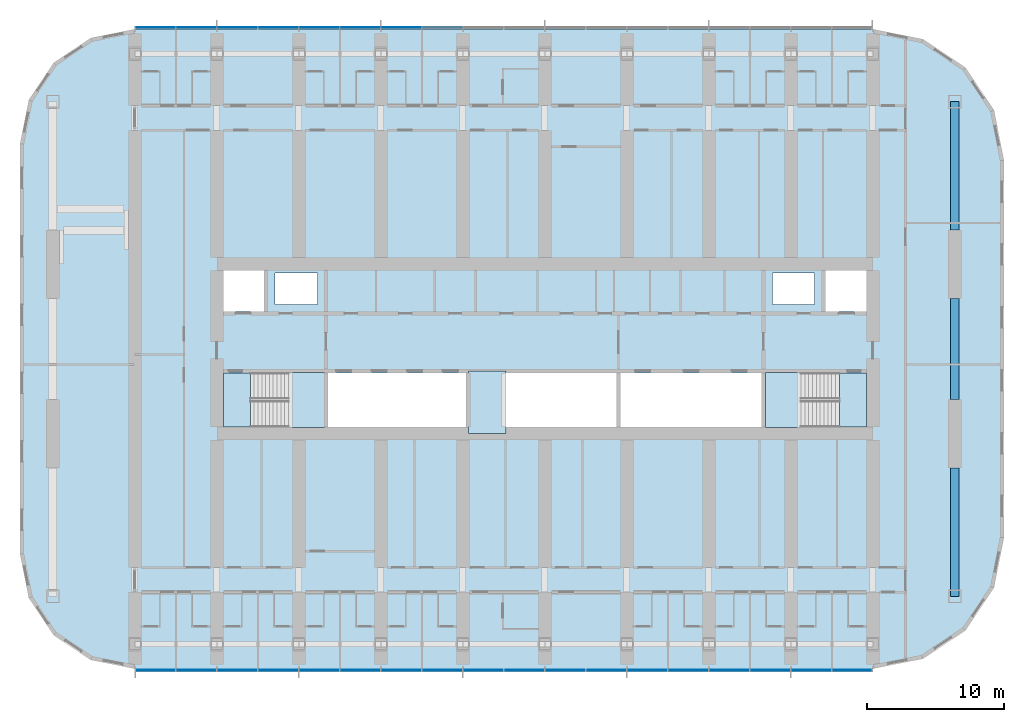
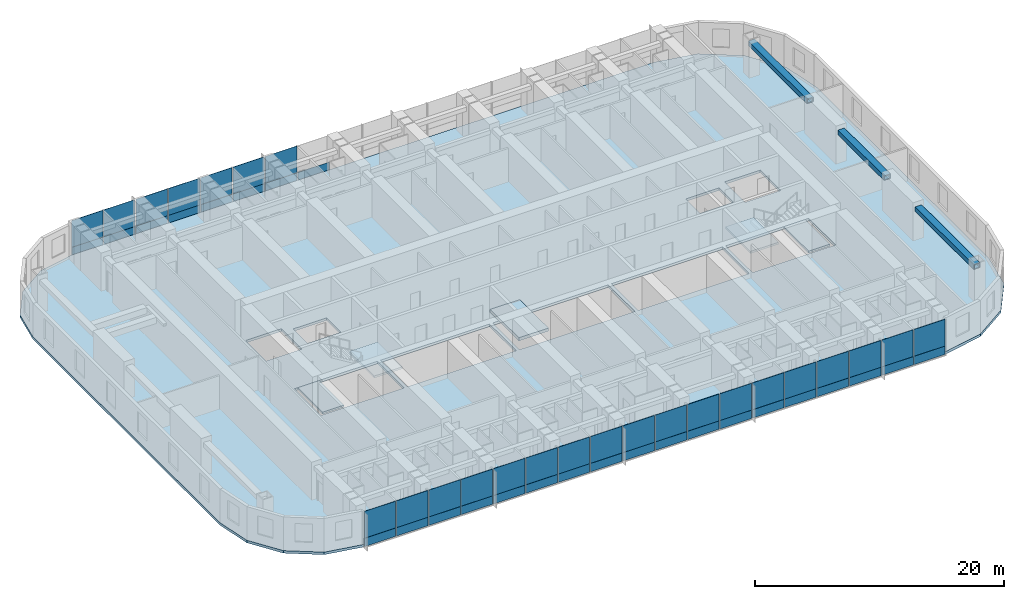
# One storey, part 6 of 22: 51 plates, 6 slabs, 3 beams, 4 elements without a shape of their own.
"""IFC4 building model written with IfcOpenShell, lengths in metres."""

import ifcopenshell
import ifcopenshell.guid

model = None  # the IFC model being written
_history = None  # IfcOwnerHistory: only IFC2X3 demands one
_inside = {}  # id of a spatial element -> (the spatial element, [elements in it])
_under = {}  # id of a project, library or spatial element -> (it, [spatial elements below it])
_declared = {}  # id of a project -> (the project, [libraries it declares])
_typed = {}  # id of a type object -> (the type object, [elements of that type])
_made_of = {}  # id of a material, layer set ... -> (it, [elements and type objects made of it])


def new_model(schema):
    """Start an empty IFC model of exactly this schema.

    Asked for "IFC4X3", IfcOpenShell would pick the latest addendum, in which some entities
    have other attributes; the version numbers below select the first issue.
    IFC2X3 requires an IfcOwnerHistory on every rooted entity: one is made here for all.
    """
    global model, _history
    if schema == "IFC4X3":
        model = ifcopenshell.file(schema_version=(4, 3, 0, 0))
    else:
        model = ifcopenshell.file(schema=schema)
    _inside.clear()
    _under.clear()
    _declared.clear()
    _typed.clear()
    _made_of.clear()
    _history = None
    if model.schema == "IFC2X3":
        org = make("IfcOrganization", Name="unknown")
        user = make(
            "IfcPersonAndOrganization",
            ThePerson=make("IfcPerson", FamilyName="unknown"),
            TheOrganization=org,
        )
        app = make(
            "IfcApplication",
            ApplicationDeveloper=org,
            Version="unknown",
            ApplicationFullName="unknown",
            ApplicationIdentifier="unknown",
        )
        _history = make(
            "IfcOwnerHistory",
            OwningUser=user,
            OwningApplication=app,
            ChangeAction="ADDED",
            CreationDate=0,
        )
    return model


def make(cls, **values):
    """One entity of the class cls with the attributes given. An attribute that is None is left unset."""
    return model.create_entity(
        cls, **{name: value for name, value in values.items() if value is not None}
    )


def rooted(cls, **values):
    """An entity with a GlobalId (a new one), such as an element, a storey or a relation."""
    return make(cls, GlobalId=ifcopenshell.guid.new(), OwnerHistory=_history, **values)


def si_unit(unit_type, name, prefix=None):
    """IfcSIUnit, for example si_unit("LENGTHUNIT", "METRE", prefix="MILLI")."""
    return make("IfcSIUnit", UnitType=unit_type, Prefix=prefix, Name=name)


def assignment(units):
    """IfcUnitAssignment: the units of a project."""
    return None if units is None else make("IfcUnitAssignment", Units=units)


def point(xyz):
    """IfcCartesianPoint."""
    return None if xyz is None else make("IfcCartesianPoint", Coordinates=xyz)


def direction(xyz):
    """IfcDirection."""
    return None if xyz is None else make("IfcDirection", DirectionRatios=xyz)


def frame(location, z_axis=None, x_axis=None):
    """IfcAxis2Placement3D, a coordinate frame: its origin and axes. An axis left out is left unset."""
    return make(
        "IfcAxis2Placement3D",
        Location=point(location),
        Axis=direction(z_axis),
        RefDirection=direction(x_axis),
    )


def frame_2d(location, x_axis=None):
    """IfcAxis2Placement2D, a coordinate frame in the plane: its origin and x axis."""
    return make(
        "IfcAxis2Placement2D", Location=point(location), RefDirection=direction(x_axis)
    )


def origin():
    """The frame at (0, 0, 0) with its axes left unset."""
    return frame((0.0, 0.0, 0.0))


def origin_2d():
    """The frame at (0, 0) in the plane with its x axis left unset."""
    return frame_2d((0.0, 0.0))


def place(relative_to, where):
    """IfcLocalPlacement: puts the frame where relative to a parent placement (None: the world)."""
    return make(
        "IfcLocalPlacement", PlacementRelTo=relative_to, RelativePlacement=where
    )


def context(
    kind, dimensions, precision=None, world=None, true_north=None, identifier=None
):
    """IfcGeometricRepresentationContext, for example the 3D "Model" context."""
    return make(
        "IfcGeometricRepresentationContext",
        ContextIdentifier=identifier,
        ContextType=kind,
        CoordinateSpaceDimension=dimensions,
        Precision=precision,
        WorldCoordinateSystem=world,
        TrueNorth=true_north,
    )


def subcontext(parent, identifier, kind, view, scale=None):
    """IfcGeometricRepresentationSubContext, for example "Body" below "Model"."""
    return make(
        "IfcGeometricRepresentationSubContext",
        ContextIdentifier=identifier,
        ContextType=kind,
        ParentContext=parent,
        TargetScale=scale,
        TargetView=view,
    )


def project(units=None, contexts=None):
    """IfcProject with its units and contexts."""
    return rooted(
        "IfcProject",
        Name="project",
        RepresentationContexts=contexts,
        UnitsInContext=assignment(units),
    )


def spatial(cls, under=None, at=None, **own):
    """A site, building, storey or space (cls), placed at a placement, below another one or the project."""
    s = rooted(cls, ObjectPlacement=at, **own)
    if under is not None:
        _under.setdefault(under.id(), (under, []))[1].append(s)
    return s


def polyline(points):
    """IfcPolyline through the points."""
    return make("IfcPolyline", Points=[point(p) for p in points])


def profile(cls, at=None, kind="AREA", **sizes):
    """A parametric profile (cls). Its sizes go by their IFC names, for example OverallWidth=200.0."""
    return make(cls, ProfileType=kind, Position=at, **sizes)


def rectangle(**sizes):
    """IfcRectangleProfileDef."""
    return profile("IfcRectangleProfileDef", **sizes)


def hollow_rectangle(**sizes):
    """IfcRectangleHollowProfileDef."""
    return profile("IfcRectangleHollowProfileDef", **sizes)


def outline(outer, holes=None, kind="AREA"):
    """IfcArbitraryClosedProfileDef: a profile drawn as a closed curve; with holes, ...WithVoids."""
    if holes is None:
        return make("IfcArbitraryClosedProfileDef", ProfileType=kind, OuterCurve=outer)
    return make(
        "IfcArbitraryProfileDefWithVoids",
        ProfileType=kind,
        OuterCurve=outer,
        InnerCurves=holes,
    )


def extrude(swept, where, along, depth):
    """IfcExtrudedAreaSolid: the profile swept, set in the frame where, extruded along a direction by depth."""
    return make(
        "IfcExtrudedAreaSolid",
        SweptArea=swept,
        Position=where,
        ExtrudedDirection=direction(along),
        Depth=depth,
    )


def shape(context_of_items, identifier, shape_type, items):
    """IfcShapeRepresentation: the items that make up one representation, for example the "Body"."""
    return make(
        "IfcShapeRepresentation",
        ContextOfItems=context_of_items,
        RepresentationIdentifier=identifier,
        RepresentationType=shape_type,
        Items=items,
    )


def material(Name=None, Category=None):
    """IfcMaterial."""
    return make("IfcMaterial", Name=Name, Category=Category)


def layer(
    of_material, thickness, ventilated=None, Name=None, Category=None, Priority=None
):
    """IfcMaterialLayer: one layer of a wall or slab, of a material (None: an air gap)."""
    return make(
        "IfcMaterialLayer",
        Material=of_material,
        LayerThickness=thickness,
        IsVentilated=ventilated,
        Name=Name,
        Category=Category,
        Priority=Priority,
    )


def layer_set(layers, Name=None):
    """IfcMaterialLayerSet."""
    return make("IfcMaterialLayerSet", MaterialLayers=layers, LayerSetName=Name)


def material_profile(
    of_material, cross_section, Name=None, Category=None, Priority=None
):
    """IfcMaterialProfile: a cross section and its material."""
    return make(
        "IfcMaterialProfile",
        Name=Name,
        Material=of_material,
        Profile=cross_section,
        Priority=Priority,
        Category=Category,
    )


def profile_set(profiles, Name=None, composite=None):
    """IfcMaterialProfileSet."""
    return make(
        "IfcMaterialProfileSet",
        Name=Name,
        MaterialProfiles=profiles,
        CompositeProfile=composite,
    )


def made_of(thing, what):
    """Note that an element or type object is made of a material, layer set ...; save() writes the relation."""
    if what is not None:
        _made_of.setdefault(what.id(), (what, []))[1].append(thing)
    return thing


def type_object(cls, material=None, **own):
    """A type object (cls), such as IfcWallType, which elements share."""
    return made_of(rooted(cls, **own), material)


def element(
    cls,
    number,
    at=None,
    inside=None,
    cuts=None,
    type_object=None,
    material=None,
    context=None,
    identifier="Body",
    shape_type=None,
    held_by="IfcProductDefinitionShape",
    body=None,
    shapes=None,
    **own,
):
    """One element of the class cls, such as IfcWall. Its Tag is "e" and its number.

    at: its placement. inside: the storey or other place that contains it. cuts: it is an
    opening in that element (IfcRelVoidsElement). A single representation is given by context,
    identifier, shape_type and body (its items); several are given by shapes. held_by: the class
    of the entity that holds the representations. save() writes the other relations.
    """
    e = rooted(cls, Tag="e%d" % number, ObjectPlacement=at, **own)
    if body is not None:
        shapes = [shape(context, identifier, shape_type, body)]
    if shapes is not None:
        e.Representation = make(held_by, Representations=shapes)
    if inside is not None:
        _inside.setdefault(inside.id(), (inside, []))[1].append(e)
    if cuts is not None:
        rooted(
            "IfcRelVoidsElement", RelatingBuildingElement=cuts, RelatedOpeningElement=e
        )
    if type_object is not None:
        _typed.setdefault(type_object.id(), (type_object, []))[1].append(e)
    return made_of(e, material)


def aggregate(whole, parts):
    """IfcRelAggregates: a whole, such as a stair, and the parts it consists of."""
    return rooted("IfcRelAggregates", RelatingObject=whole, RelatedObjects=parts)


def save(model, path):
    """Write the relations noted so far, then the file.

    IfcRelAggregates (storeys below a building ...), IfcRelContainedInSpatialStructure (elements
    in a storey), IfcRelDefinesByType, IfcRelAssociatesMaterial and IfcRelDeclares: one each for
    every whole, place, type object, material and project.
    """
    for whole, parts in _under.values():
        aggregate(whole, parts)
    for where, things in _inside.values():
        rooted(
            "IfcRelContainedInSpatialStructure",
            RelatedElements=things,
            RelatingStructure=where,
        )
    for kind, things in _typed.values():
        rooted("IfcRelDefinesByType", RelatedObjects=things, RelatingType=kind)
    for what, things in _made_of.values():
        rooted("IfcRelAssociatesMaterial", RelatedObjects=things, RelatingMaterial=what)
    for by, libraries in _declared.values():
        rooted("IfcRelDeclares", RelatingContext=by, RelatedDefinitions=libraries)
    model.write(path)


model = new_model("IFC4")

# Units and contexts
model_context = context("Model", 3, precision=1e-05, world=origin(), true_north=direction((0.0, 1.0)))
body_context = subcontext(model_context, "Body", "Model", "MODEL_VIEW")
ifc_project = project(units=[si_unit("LENGTHUNIT", "METRE"), si_unit("AREAUNIT", "SQUARE_METRE"), si_unit("VOLUMEUNIT", "CUBIC_METRE"), si_unit("PLANEANGLEUNIT", "RADIAN"), si_unit("MASSUNIT", "GRAM", prefix="KILO")], contexts=[model_context])

# Site, building, storey
site_placement = place(None, origin())
site = spatial("IfcSite", under=ifc_project, at=site_placement, CompositionType="ELEMENT")
building_placement = place(site_placement, origin())
building = spatial("IfcBuilding", under=site, at=building_placement, Name="Orbita Commons", CompositionType="ELEMENT")
storey_placement = place(building_placement, frame((0.0, 0.0, 80.64990234375)))
storey = spatial("IfcBuildingStorey", under=building, at=storey_placement, Name="L19", CompositionType="ELEMENT", Elevation=80.64990234375)

# Beams
ifc_material_1 = material(Name="Steel ASTM A572 Gr 50 welded plate", Category="steel")
ifc_material_profile = material_profile(ifc_material_1, hollow_rectangle(XDim=0.60009765625, YDim=0.449951171875, WallThickness=0.06005859375, at=origin_2d()), Name="BOX 450x600x60")
ifc_profile_set = profile_set([ifc_material_profile], Name="Steel ASTM A572 Gr 50 welded plate")
beam_type = type_object("IfcBeamType", Name="Steel end frame link BOX 450x600x60", PredefinedType="BEAM", material=ifc_profile_set)
beam_1_placement = place(storey_placement, frame((72.0, 13.89990234375, 3.0751953125), z_axis=(0.0, 1.0, 0.0), x_axis=(-1.0, 0.0, 0.0)))
element("IfcBeam", 1, at=beam_1_placement, inside=storey, type_object=beam_type, Name="End frame beam 13 B-C L19", PredefinedType="BEAM", context=body_context, shape_type="SweptSolid", body=[
    extrude(hollow_rectangle(XDim=0.60009765625, YDim=0.449951171875, WallThickness=0.06005859375, at=origin_2d()), origin(), (0.0, 0.0, 1.0), 9.400146484375),
])
beam_2_placement = place(storey_placement, frame((72.0, 28.300048828125, 3.0751953125), z_axis=(0.0, 1.0, 0.0), x_axis=(-1.0, 0.0, 0.0)))
element("IfcBeam", 2, at=beam_2_placement, inside=storey, type_object=beam_type, Name="End frame beam 13 C-D L19", PredefinedType="BEAM", context=body_context, shape_type="SweptSolid", body=[
    extrude(hollow_rectangle(XDim=0.60009765625, YDim=0.449951171875, WallThickness=0.06005859375, at=origin_2d()), origin(), (0.0, 0.0, 1.0), 7.39990234375),
])
beam_3_placement = place(storey_placement, frame((72.0, 40.699951171875, 3.0751953125), z_axis=(0.0, 1.0, 0.0), x_axis=(-1.0, 0.0, 0.0)))
element("IfcBeam", 3, at=beam_3_placement, inside=storey, type_object=beam_type, Name="End frame beam 13 D-E L19", PredefinedType="BEAM", context=body_context, shape_type="SweptSolid", body=[
    extrude(hollow_rectangle(XDim=0.60009765625, YDim=0.449951171875, WallThickness=0.06005859375, at=origin_2d()), origin(), (0.0, 0.0, 1.0), 9.400146484375),
])

# Slabs
ifc_material_2 = material(Name="Concrete C40/50", Category="concrete")
ifc_layer_1 = layer(ifc_material_2, 0.25)
ifc_layer_set_1 = layer_set([ifc_layer_1], Name="Concrete C40/50")
slab_type_1 = type_object("IfcSlabType", Name="Floor slab 250", PredefinedType="FLOOR", material=ifc_layer_set_1)
slab_1_placement = place(storey_placement, frame((0.0, 0.0, -0.25)))
element("IfcSlab", 4, at=slab_1_placement, inside=storey, type_object=slab_type_1, Name="Floor slab L19", PredefinedType="FLOOR", context=body_context, shape_type="SweptSolid", body=[
    extrude(outline(polyline([(66.0, 8.60009765625), (69.673828125, 9.330810546875), (72.788330078125, 11.411865234375), (74.869140625, 14.526123046875), (75.60009765625, 18.199951171875), (75.60009765625, 45.800048828125), (74.869140625, 49.473876953125), (72.788330078125, 52.588134765625), (69.673828125, 54.669189453125), (66.0, 55.39990234375), (12.0, 55.39990234375), (8.785400390625, 54.760498046875), (6.060302734375, 52.939697265625), (4.239501953125, 50.214599609375), (3.60009765625, 47.0), (3.60009765625, 17.0), (4.239501953125, 13.785400390625), (6.060302734375, 11.060302734375), (8.785400390625, 9.239501953125), (12.0, 8.60009765625), (66.0, 8.60009765625)]), holes=[polyline([(18.14990234375, 25.949951171875), (25.85009765625, 25.949951171875), (25.85009765625, 30.25), (18.14990234375, 30.25), (18.14990234375, 25.949951171875)]), polyline([(58.14990234375, 25.949951171875), (65.85009765625, 25.949951171875), (65.85009765625, 30.25), (58.14990234375, 30.25), (58.14990234375, 25.949951171875)]), polyline([(18.14990234375, 34.75), (21.449951171875, 34.75), (21.449951171875, 38.050048828125), (18.14990234375, 38.050048828125), (18.14990234375, 34.75)]), polyline([(62.550048828125, 34.75), (65.85009765625, 34.75), (65.85009765625, 38.050048828125), (62.550048828125, 38.050048828125), (62.550048828125, 34.75)]), polyline([(22.25, 35.25), (25.35009765625, 35.25), (25.35009765625, 37.550048828125), (22.25, 37.550048828125), (22.25, 35.25)]), polyline([(58.64990234375, 35.25), (61.75, 35.25), (61.75, 37.550048828125), (58.64990234375, 37.550048828125), (58.64990234375, 35.25)]), polyline([(26.14990234375, 25.949951171875), (36.25, 25.949951171875), (36.25, 30.25), (26.14990234375, 30.25), (26.14990234375, 25.949951171875)]), polyline([(36.550048828125, 25.949951171875), (47.25, 25.949951171875), (47.25, 30.25), (36.550048828125, 30.25), (36.550048828125, 25.949951171875)]), polyline([(47.550048828125, 25.949951171875), (57.85009765625, 25.949951171875), (57.85009765625, 30.25), (47.550048828125, 30.25), (47.550048828125, 25.949951171875)])]), origin(), (0.0, 0.0, 1.0), 0.25),
])
ifc_material_3 = material(Name="Concrete C40/50", Category="concrete")
ifc_layer_2 = layer(ifc_material_3, 0.300048828125)
ifc_layer_set_2 = layer_set([ifc_layer_2], Name="Concrete C40/50")
slab_type_2 = type_object("IfcSlabType", Name="Lift overrun roof 300", PredefinedType="ROOF", material=ifc_layer_set_2)
slab_2_placement = place(storey_placement, frame((0.0, 0.0, 1.0)))
element("IfcSlab", 5, at=slab_2_placement, inside=storey, type_object=slab_type_2, Name="Lift overrun roof bank SH1", PredefinedType="ROOF", context=body_context, shape_type="SweptSolid", body=[
    extrude(outline(polyline([(36.39990234375, 25.800048828125), (39.14990234375, 25.800048828125), (39.14990234375, 30.39990234375), (36.39990234375, 30.39990234375), (36.39990234375, 25.800048828125)])), origin(), (0.0, 0.0, 1.0), 0.300048828125),
])

# Curtain wall, plates
ifc_material_4 = material(Name="Anodised aluminium frame, pale silver", Category="aluminium")
curtain_wall_type = type_object("IfcCurtainWallType", Name="Unitised curtain wall CW-T, vision and spandrel", PredefinedType="NOTDEFINED", material=ifc_material_4)
curtain_wall_1_placement = place(storey_placement, origin())
curtain_wall_1 = element("IfcCurtainWall", 6, at=curtain_wall_1_placement, inside=storey, type_object=curtain_wall_type, Name="Curtain wall south L19", PredefinedType="NOTDEFINED")
ifc_material_5 = material(Name="Anodised aluminium sheet on mineral wool", Category="aluminium")
ifc_layer_3 = layer(ifc_material_5, 0.050048828125)
ifc_layer_set_3 = layer_set([ifc_layer_3], Name="Anodised aluminium sheet on mineral wool")
plate_type_1 = type_object("IfcPlateType", Name="Spandrel panel, pale aluminium over insulation 50", PredefinedType="CURTAIN_PANEL", material=ifc_layer_set_3)
plate_1_placement = place(storey_placement, frame((13.52001953125, 8.489990234375, -0.14990234375), z_axis=(0.0, 0.0, 1.0), x_axis=(1.0, 0.0, 0.0)))
plate_1 = element("IfcPlate", 7, at=plate_1_placement, type_object=plate_type_1, Name="Panel 1.1 CW-L19-S", PredefinedType="CURTAIN_PANEL", context=body_context, shape_type="SweptSolid", body=[
    extrude(rectangle(XDim=2.8798828125, YDim=0.050048828125, at=origin_2d()), origin(), (0.0, 0.0, 1.0), 0.822998046875),
])
plate_2_placement = place(storey_placement, frame((16.5, 8.489990234375, -0.14990234375), z_axis=(0.0, 0.0, 1.0), x_axis=(1.0, 0.0, 0.0)))
plate_2 = element("IfcPlate", 8, at=plate_2_placement, type_object=plate_type_1, Name="Panel 2.1 CW-L19-S", PredefinedType="CURTAIN_PANEL", context=body_context, shape_type="SweptSolid", body=[
    extrude(rectangle(XDim=2.919921875, YDim=0.050048828125, at=origin_2d()), origin(), (0.0, 0.0, 1.0), 0.822998046875),
])
plate_3_placement = place(storey_placement, frame((19.5, 8.489990234375, -0.14990234375), z_axis=(0.0, 0.0, 1.0), x_axis=(1.0, 0.0, 0.0)))
plate_3 = element("IfcPlate", 9, at=plate_3_placement, type_object=plate_type_1, Name="Panel 3.1 CW-L19-S", PredefinedType="CURTAIN_PANEL", context=body_context, shape_type="SweptSolid", body=[
    extrude(rectangle(XDim=2.919921875, YDim=0.050048828125, at=origin_2d()), origin(), (0.0, 0.0, 1.0), 0.822998046875),
])
plate_4_placement = place(storey_placement, frame((22.5, 8.489990234375, -0.14990234375), z_axis=(0.0, 0.0, 1.0), x_axis=(1.0, 0.0, 0.0)))
plate_4 = element("IfcPlate", 10, at=plate_4_placement, type_object=plate_type_1, Name="Panel 4.1 CW-L19-S", PredefinedType="CURTAIN_PANEL", context=body_context, shape_type="SweptSolid", body=[
    extrude(rectangle(XDim=2.919921875, YDim=0.050048828125, at=origin_2d()), origin(), (0.0, 0.0, 1.0), 0.822998046875),
])
plate_5_placement = place(storey_placement, frame((25.5, 8.489990234375, -0.14990234375), z_axis=(0.0, 0.0, 1.0), x_axis=(1.0, 0.0, 0.0)))
plate_5 = element("IfcPlate", 11, at=plate_5_placement, type_object=plate_type_1, Name="Panel 5.1 CW-L19-S", PredefinedType="CURTAIN_PANEL", context=body_context, shape_type="SweptSolid", body=[
    extrude(rectangle(XDim=2.919921875, YDim=0.050048828125, at=origin_2d()), origin(), (0.0, 0.0, 1.0), 0.822998046875),
])
plate_6_placement = place(storey_placement, frame((28.5, 8.489990234375, -0.14990234375), z_axis=(0.0, 0.0, 1.0), x_axis=(1.0, 0.0, 0.0)))
plate_6 = element("IfcPlate", 12, at=plate_6_placement, type_object=plate_type_1, Name="Panel 6.1 CW-L19-S", PredefinedType="CURTAIN_PANEL", context=body_context, shape_type="SweptSolid", body=[
    extrude(rectangle(XDim=2.919921875, YDim=0.050048828125, at=origin_2d()), origin(), (0.0, 0.0, 1.0), 0.822998046875),
])
plate_7_placement = place(storey_placement, frame((31.5, 8.489990234375, -0.14990234375), z_axis=(0.0, 0.0, 1.0), x_axis=(1.0, 0.0, 0.0)))
plate_7 = element("IfcPlate", 13, at=plate_7_placement, type_object=plate_type_1, Name="Panel 7.1 CW-L19-S", PredefinedType="CURTAIN_PANEL", context=body_context, shape_type="SweptSolid", body=[
    extrude(rectangle(XDim=2.919921875, YDim=0.050048828125, at=origin_2d()), origin(), (0.0, 0.0, 1.0), 0.822998046875),
])
plate_8_placement = place(storey_placement, frame((34.5, 8.489990234375, -0.14990234375), z_axis=(0.0, 0.0, 1.0), x_axis=(1.0, 0.0, 0.0)))
plate_8 = element("IfcPlate", 14, at=plate_8_placement, type_object=plate_type_1, Name="Panel 8.1 CW-L19-S", PredefinedType="CURTAIN_PANEL", context=body_context, shape_type="SweptSolid", body=[
    extrude(rectangle(XDim=2.919921875, YDim=0.050048828125, at=origin_2d()), origin(), (0.0, 0.0, 1.0), 0.822998046875),
])
plate_9_placement = place(storey_placement, frame((37.5, 8.489990234375, -0.14990234375), z_axis=(0.0, 0.0, 1.0), x_axis=(1.0, 0.0, 0.0)))
plate_9 = element("IfcPlate", 15, at=plate_9_placement, type_object=plate_type_1, Name="Panel 9.1 CW-L19-S", PredefinedType="CURTAIN_PANEL", context=body_context, shape_type="SweptSolid", body=[
    extrude(rectangle(XDim=2.919921875, YDim=0.050048828125, at=origin_2d()), origin(), (0.0, 0.0, 1.0), 0.822998046875),
])
plate_10_placement = place(storey_placement, frame((40.5, 8.489990234375, -0.14990234375), z_axis=(0.0, 0.0, 1.0), x_axis=(1.0, 0.0, 0.0)))
plate_10 = element("IfcPlate", 16, at=plate_10_placement, type_object=plate_type_1, Name="Panel 10.1 CW-L19-S", PredefinedType="CURTAIN_PANEL", context=body_context, shape_type="SweptSolid", body=[
    extrude(rectangle(XDim=2.919921875, YDim=0.050048828125, at=origin_2d()), origin(), (0.0, 0.0, 1.0), 0.822998046875),
])
plate_11_placement = place(storey_placement, frame((43.5, 8.489990234375, -0.14990234375), z_axis=(0.0, 0.0, 1.0), x_axis=(1.0, 0.0, 0.0)))
plate_11 = element("IfcPlate", 17, at=plate_11_placement, type_object=plate_type_1, Name="Panel 11.1 CW-L19-S", PredefinedType="CURTAIN_PANEL", context=body_context, shape_type="SweptSolid", body=[
    extrude(rectangle(XDim=2.919921875, YDim=0.050048828125, at=origin_2d()), origin(), (0.0, 0.0, 1.0), 0.822998046875),
])
plate_12_placement = place(storey_placement, frame((46.5, 8.489990234375, -0.14990234375), z_axis=(0.0, 0.0, 1.0), x_axis=(1.0, 0.0, 0.0)))
plate_12 = element("IfcPlate", 18, at=plate_12_placement, type_object=plate_type_1, Name="Panel 12.1 CW-L19-S", PredefinedType="CURTAIN_PANEL", context=body_context, shape_type="SweptSolid", body=[
    extrude(rectangle(XDim=2.919921875, YDim=0.050048828125, at=origin_2d()), origin(), (0.0, 0.0, 1.0), 0.822998046875),
])
plate_13_placement = place(storey_placement, frame((49.5, 8.489990234375, -0.14990234375), z_axis=(0.0, 0.0, 1.0), x_axis=(1.0, 0.0, 0.0)))
plate_13 = element("IfcPlate", 19, at=plate_13_placement, type_object=plate_type_1, Name="Panel 13.1 CW-L19-S", PredefinedType="CURTAIN_PANEL", context=body_context, shape_type="SweptSolid", body=[
    extrude(rectangle(XDim=2.919921875, YDim=0.050048828125, at=origin_2d()), origin(), (0.0, 0.0, 1.0), 0.822998046875),
])
plate_14_placement = place(storey_placement, frame((52.5, 8.489990234375, -0.14990234375), z_axis=(0.0, 0.0, 1.0), x_axis=(1.0, 0.0, 0.0)))
plate_14 = element("IfcPlate", 20, at=plate_14_placement, type_object=plate_type_1, Name="Panel 14.1 CW-L19-S", PredefinedType="CURTAIN_PANEL", context=body_context, shape_type="SweptSolid", body=[
    extrude(rectangle(XDim=2.919921875, YDim=0.050048828125, at=origin_2d()), origin(), (0.0, 0.0, 1.0), 0.822998046875),
])
plate_15_placement = place(storey_placement, frame((55.5, 8.489990234375, -0.14990234375), z_axis=(0.0, 0.0, 1.0), x_axis=(1.0, 0.0, 0.0)))
plate_15 = element("IfcPlate", 21, at=plate_15_placement, type_object=plate_type_1, Name="Panel 15.1 CW-L19-S", PredefinedType="CURTAIN_PANEL", context=body_context, shape_type="SweptSolid", body=[
    extrude(rectangle(XDim=2.919921875, YDim=0.050048828125, at=origin_2d()), origin(), (0.0, 0.0, 1.0), 0.822998046875),
])
plate_16_placement = place(storey_placement, frame((58.5, 8.489990234375, -0.14990234375), z_axis=(0.0, 0.0, 1.0), x_axis=(1.0, 0.0, 0.0)))
plate_16 = element("IfcPlate", 22, at=plate_16_placement, type_object=plate_type_1, Name="Panel 16.1 CW-L19-S", PredefinedType="CURTAIN_PANEL", context=body_context, shape_type="SweptSolid", body=[
    extrude(rectangle(XDim=2.919921875, YDim=0.050048828125, at=origin_2d()), origin(), (0.0, 0.0, 1.0), 0.822998046875),
])
plate_17_placement = place(storey_placement, frame((61.5, 8.489990234375, -0.14990234375), z_axis=(0.0, 0.0, 1.0), x_axis=(1.0, 0.0, 0.0)))
plate_17 = element("IfcPlate", 23, at=plate_17_placement, type_object=plate_type_1, Name="Panel 17.1 CW-L19-S", PredefinedType="CURTAIN_PANEL", context=body_context, shape_type="SweptSolid", body=[
    extrude(rectangle(XDim=2.919921875, YDim=0.050048828125, at=origin_2d()), origin(), (0.0, 0.0, 1.0), 0.822998046875),
])
plate_18_placement = place(storey_placement, frame((64.47998046875, 8.489990234375, -0.14990234375), z_axis=(0.0, 0.0, 1.0), x_axis=(1.0, 0.0, 0.0)))
plate_18 = element("IfcPlate", 24, at=plate_18_placement, type_object=plate_type_1, Name="Panel 18.1 CW-L19-S", PredefinedType="CURTAIN_PANEL", context=body_context, shape_type="SweptSolid", body=[
    extrude(rectangle(XDim=2.8798828125, YDim=0.050048828125, at=origin_2d()), origin(), (0.0, 0.0, 1.0), 0.822998046875),
])

curtain_wall_2_placement = place(storey_placement, origin())
curtain_wall_2 = element("IfcCurtainWall", 25, at=curtain_wall_2_placement, inside=storey, type_object=curtain_wall_type, Name="Curtain wall north L19", PredefinedType="NOTDEFINED")
plate_19_placement = place(storey_placement, frame((34.5, 55.510009765625, -0.14990234375), z_axis=(0.0, 0.0, 1.0), x_axis=(-1.0, 0.0, 0.0)))
plate_19 = element("IfcPlate", 26, at=plate_19_placement, type_object=plate_type_1, Name="Panel 11.1 CW-L19-N", PredefinedType="CURTAIN_PANEL", context=body_context, shape_type="SweptSolid", body=[
    extrude(rectangle(XDim=2.919921875, YDim=0.050048828125, at=origin_2d()), origin(), (0.0, 0.0, 1.0), 0.822998046875),
])
plate_20_placement = place(storey_placement, frame((31.5, 55.510009765625, -0.14990234375), z_axis=(0.0, 0.0, 1.0), x_axis=(-1.0, 0.0, 0.0)))
plate_20 = element("IfcPlate", 27, at=plate_20_placement, type_object=plate_type_1, Name="Panel 12.1 CW-L19-N", PredefinedType="CURTAIN_PANEL", context=body_context, shape_type="SweptSolid", body=[
    extrude(rectangle(XDim=2.919921875, YDim=0.050048828125, at=origin_2d()), origin(), (0.0, 0.0, 1.0), 0.822998046875),
])
plate_21_placement = place(storey_placement, frame((28.5, 55.510009765625, -0.14990234375), z_axis=(0.0, 0.0, 1.0), x_axis=(-1.0, 0.0, 0.0)))
plate_21 = element("IfcPlate", 28, at=plate_21_placement, type_object=plate_type_1, Name="Panel 13.1 CW-L19-N", PredefinedType="CURTAIN_PANEL", context=body_context, shape_type="SweptSolid", body=[
    extrude(rectangle(XDim=2.919921875, YDim=0.050048828125, at=origin_2d()), origin(), (0.0, 0.0, 1.0), 0.822998046875),
])
plate_22_placement = place(storey_placement, frame((25.5, 55.510009765625, -0.14990234375), z_axis=(0.0, 0.0, 1.0), x_axis=(-1.0, 0.0, 0.0)))
plate_22 = element("IfcPlate", 29, at=plate_22_placement, type_object=plate_type_1, Name="Panel 14.1 CW-L19-N", PredefinedType="CURTAIN_PANEL", context=body_context, shape_type="SweptSolid", body=[
    extrude(rectangle(XDim=2.919921875, YDim=0.050048828125, at=origin_2d()), origin(), (0.0, 0.0, 1.0), 0.822998046875),
])
plate_23_placement = place(storey_placement, frame((22.5, 55.510009765625, -0.14990234375), z_axis=(0.0, 0.0, 1.0), x_axis=(-1.0, 0.0, 0.0)))
plate_23 = element("IfcPlate", 30, at=plate_23_placement, type_object=plate_type_1, Name="Panel 15.1 CW-L19-N", PredefinedType="CURTAIN_PANEL", context=body_context, shape_type="SweptSolid", body=[
    extrude(rectangle(XDim=2.919921875, YDim=0.050048828125, at=origin_2d()), origin(), (0.0, 0.0, 1.0), 0.822998046875),
])
plate_24_placement = place(storey_placement, frame((19.5, 55.510009765625, -0.14990234375), z_axis=(0.0, 0.0, 1.0), x_axis=(-1.0, 0.0, 0.0)))
plate_24 = element("IfcPlate", 31, at=plate_24_placement, type_object=plate_type_1, Name="Panel 16.1 CW-L19-N", PredefinedType="CURTAIN_PANEL", context=body_context, shape_type="SweptSolid", body=[
    extrude(rectangle(XDim=2.919921875, YDim=0.050048828125, at=origin_2d()), origin(), (0.0, 0.0, 1.0), 0.822998046875),
])
plate_25_placement = place(storey_placement, frame((16.5, 55.510009765625, -0.14990234375), z_axis=(0.0, 0.0, 1.0), x_axis=(-1.0, 0.0, 0.0)))
plate_25 = element("IfcPlate", 32, at=plate_25_placement, type_object=plate_type_1, Name="Panel 17.1 CW-L19-N", PredefinedType="CURTAIN_PANEL", context=body_context, shape_type="SweptSolid", body=[
    extrude(rectangle(XDim=2.919921875, YDim=0.050048828125, at=origin_2d()), origin(), (0.0, 0.0, 1.0), 0.822998046875),
])
plate_26_placement = place(storey_placement, frame((13.52001953125, 55.510009765625, -0.14990234375), z_axis=(0.0, 0.0, 1.0), x_axis=(-1.0, 0.0, 0.0)))
plate_26 = element("IfcPlate", 33, at=plate_26_placement, type_object=plate_type_1, Name="Panel 18.1 CW-L19-N", PredefinedType="CURTAIN_PANEL", context=body_context, shape_type="SweptSolid", body=[
    extrude(rectangle(XDim=2.8798828125, YDim=0.050048828125, at=origin_2d()), origin(), (0.0, 0.0, 1.0), 0.822998046875),
])

# Stair, slabs
ifc_material_6 = material(Name="Precast concrete C40/50", Category="concrete")
stair_type_1 = type_object("IfcStairType", Name="Exit stair S1 2 flights 11 risers 170", PredefinedType="HALF_TURN_STAIR", material=ifc_material_6)
stair_1_placement = place(storey_placement, origin())
stair_1 = element("IfcStair", 34, at=stair_1_placement, inside=storey, type_object=stair_type_1, Name="Exit stair S1 L19", PredefinedType="HALF_TURN_STAIR")
ifc_material_7 = material(Name="Concrete C40/50", Category="concrete")
ifc_layer_4 = layer(ifc_material_7, 0.199951171875)
ifc_layer_set_4 = layer_set([ifc_layer_4], Name="Concrete C40/50")
slab_type_3 = type_object("IfcSlabType", Name="Stair landing 200", PredefinedType="LANDING", material=ifc_layer_set_4)
slab_3_placement = place(storey_placement, frame((0.0, 0.0, -0.199951171875)))
slab_3 = element("IfcSlab", 35, at=slab_3_placement, type_object=slab_type_3, Name="S1 landing 1", PredefinedType="LANDING", context=body_context, shape_type="SweptSolid", body=[
    extrude(outline(polyline([(18.47509765625, 26.27490234375), (20.449951171875, 26.27490234375), (20.449951171875, 30.25), (18.47509765625, 30.25), (18.47509765625, 26.27490234375)])), origin(), (0.0, 0.0, 1.0), 0.199951171875),
])
slab_4_placement = place(storey_placement, frame((0.0, 0.0, 1.675048828125)))
slab_4 = element("IfcSlab", 36, at=slab_4_placement, type_object=slab_type_3, Name="S1 landing 2", PredefinedType="LANDING", context=body_context, shape_type="SweptSolid", body=[
    extrude(outline(polyline([(23.25, 26.260009765625), (25.864990234375, 26.260009765625), (25.864990234375, 30.264892578125), (23.25, 30.264892578125), (23.25, 26.260009765625)])), origin(), (0.0, 0.0, 1.0), 0.199951171875),
])
aggregate(stair_1, [slab_3, slab_4])

ifc_material_8 = material(Name="Precast concrete C40/50", Category="concrete")
stair_type_2 = type_object("IfcStairType", Name="Exit stair S2 2 flights 11 risers 170", PredefinedType="HALF_TURN_STAIR", material=ifc_material_8)
stair_2_placement = place(storey_placement, origin())
stair_2 = element("IfcStair", 37, at=stair_2_placement, inside=storey, type_object=stair_type_2, Name="Exit stair S2 L19", PredefinedType="HALF_TURN_STAIR")
slab_5_placement = place(storey_placement, frame((0.0, 0.0, -0.199951171875)))
slab_5 = element("IfcSlab", 38, at=slab_5_placement, type_object=slab_type_3, Name="S2 landing 1", PredefinedType="LANDING", context=body_context, shape_type="SweptSolid", body=[
    extrude(outline(polyline([(63.550048828125, 26.27490234375), (65.52490234375, 26.27490234375), (65.52490234375, 30.25), (63.550048828125, 30.25), (63.550048828125, 26.27490234375)])), origin(), (0.0, 0.0, 1.0), 0.199951171875),
])
slab_6_placement = place(storey_placement, frame((0.0, 0.0, 1.675048828125)))
slab_6 = element("IfcSlab", 39, at=slab_6_placement, type_object=slab_type_3, Name="S2 landing 2", PredefinedType="LANDING", context=body_context, shape_type="SweptSolid", body=[
    extrude(outline(polyline([(58.135009765625, 26.260009765625), (60.75, 26.260009765625), (60.75, 30.264892578125), (58.135009765625, 30.264892578125), (58.135009765625, 26.260009765625)])), origin(), (0.0, 0.0, 1.0), 0.199951171875),
])
aggregate(stair_2, [slab_5, slab_6])

# Plate
ifc_material_9 = material(Name="Clear double glazing", Category="glass")
ifc_layer_5 = layer(ifc_material_9, 0.031982421875)
ifc_layer_set_5 = layer_set([ifc_layer_5], Name="Clear double glazing")
plate_type_2 = type_object("IfcPlateType", Name="Vision panel, clear double glazing 32", PredefinedType="CURTAIN_PANEL", material=ifc_layer_set_5)
plate_27_placement = place(storey_placement, frame((13.52001953125, 8.489990234375, 0.673095703125), z_axis=(0.0, 0.0, 1.0), x_axis=(1.0, 0.0, 0.0)))
plate_27 = element("IfcPlate", 40, at=plate_27_placement, type_object=plate_type_2, Name="Panel 1.2 CW-L19-S", PredefinedType="CURTAIN_PANEL", context=body_context, shape_type="SweptSolid", body=[
    extrude(rectangle(XDim=2.8798828125, YDim=0.031982421875, at=origin_2d()), origin(), (0.0, 0.0, 1.0), 2.626953125),
])

plate_28_placement = place(storey_placement, frame((16.5, 8.489990234375, 0.673095703125), z_axis=(0.0, 0.0, 1.0), x_axis=(1.0, 0.0, 0.0)))
plate_28 = element("IfcPlate", 41, at=plate_28_placement, type_object=plate_type_2, Name="Panel 2.2 CW-L19-S", PredefinedType="CURTAIN_PANEL", context=body_context, shape_type="SweptSolid", body=[
    extrude(rectangle(XDim=2.919921875, YDim=0.031982421875, at=origin_2d()), origin(), (0.0, 0.0, 1.0), 2.626953125),
])

plate_29_placement = place(storey_placement, frame((19.5, 8.489990234375, 0.673095703125), z_axis=(0.0, 0.0, 1.0), x_axis=(1.0, 0.0, 0.0)))
plate_29 = element("IfcPlate", 42, at=plate_29_placement, type_object=plate_type_2, Name="Panel 3.2 CW-L19-S", PredefinedType="CURTAIN_PANEL", context=body_context, shape_type="SweptSolid", body=[
    extrude(rectangle(XDim=2.919921875, YDim=0.031982421875, at=origin_2d()), origin(), (0.0, 0.0, 1.0), 2.626953125),
])

plate_30_placement = place(storey_placement, frame((22.5, 8.489990234375, 0.673095703125), z_axis=(0.0, 0.0, 1.0), x_axis=(1.0, 0.0, 0.0)))
plate_30 = element("IfcPlate", 43, at=plate_30_placement, type_object=plate_type_2, Name="Panel 4.2 CW-L19-S", PredefinedType="CURTAIN_PANEL", context=body_context, shape_type="SweptSolid", body=[
    extrude(rectangle(XDim=2.919921875, YDim=0.031982421875, at=origin_2d()), origin(), (0.0, 0.0, 1.0), 2.626953125),
])

plate_31_placement = place(storey_placement, frame((25.5, 8.489990234375, 0.673095703125), z_axis=(0.0, 0.0, 1.0), x_axis=(1.0, 0.0, 0.0)))
plate_31 = element("IfcPlate", 44, at=plate_31_placement, type_object=plate_type_2, Name="Panel 5.2 CW-L19-S", PredefinedType="CURTAIN_PANEL", context=body_context, shape_type="SweptSolid", body=[
    extrude(rectangle(XDim=2.919921875, YDim=0.031982421875, at=origin_2d()), origin(), (0.0, 0.0, 1.0), 2.626953125),
])

plate_32_placement = place(storey_placement, frame((28.5, 8.489990234375, 0.673095703125), z_axis=(0.0, 0.0, 1.0), x_axis=(1.0, 0.0, 0.0)))
plate_32 = element("IfcPlate", 45, at=plate_32_placement, type_object=plate_type_2, Name="Panel 6.2 CW-L19-S", PredefinedType="CURTAIN_PANEL", context=body_context, shape_type="SweptSolid", body=[
    extrude(rectangle(XDim=2.919921875, YDim=0.031982421875, at=origin_2d()), origin(), (0.0, 0.0, 1.0), 2.626953125),
])

plate_33_placement = place(storey_placement, frame((31.5, 8.489990234375, 0.673095703125), z_axis=(0.0, 0.0, 1.0), x_axis=(1.0, 0.0, 0.0)))
plate_33 = element("IfcPlate", 46, at=plate_33_placement, type_object=plate_type_2, Name="Panel 7.2 CW-L19-S", PredefinedType="CURTAIN_PANEL", context=body_context, shape_type="SweptSolid", body=[
    extrude(rectangle(XDim=2.919921875, YDim=0.031982421875, at=origin_2d()), origin(), (0.0, 0.0, 1.0), 2.626953125),
])

plate_34_placement = place(storey_placement, frame((34.5, 8.489990234375, 0.673095703125), z_axis=(0.0, 0.0, 1.0), x_axis=(1.0, 0.0, 0.0)))
plate_34 = element("IfcPlate", 47, at=plate_34_placement, type_object=plate_type_2, Name="Panel 8.2 CW-L19-S", PredefinedType="CURTAIN_PANEL", context=body_context, shape_type="SweptSolid", body=[
    extrude(rectangle(XDim=2.919921875, YDim=0.031982421875, at=origin_2d()), origin(), (0.0, 0.0, 1.0), 2.626953125),
])

plate_35_placement = place(storey_placement, frame((37.5, 8.489990234375, 0.673095703125), z_axis=(0.0, 0.0, 1.0), x_axis=(1.0, 0.0, 0.0)))
plate_35 = element("IfcPlate", 48, at=plate_35_placement, type_object=plate_type_2, Name="Panel 9.2 CW-L19-S", PredefinedType="CURTAIN_PANEL", context=body_context, shape_type="SweptSolid", body=[
    extrude(rectangle(XDim=2.919921875, YDim=0.031982421875, at=origin_2d()), origin(), (0.0, 0.0, 1.0), 2.626953125),
])

plate_36_placement = place(storey_placement, frame((40.5, 8.489990234375, 0.673095703125), z_axis=(0.0, 0.0, 1.0), x_axis=(1.0, 0.0, 0.0)))
plate_36 = element("IfcPlate", 49, at=plate_36_placement, type_object=plate_type_2, Name="Panel 10.2 CW-L19-S", PredefinedType="CURTAIN_PANEL", context=body_context, shape_type="SweptSolid", body=[
    extrude(rectangle(XDim=2.919921875, YDim=0.031982421875, at=origin_2d()), origin(), (0.0, 0.0, 1.0), 2.626953125),
])

plate_37_placement = place(storey_placement, frame((43.5, 8.489990234375, 0.673095703125), z_axis=(0.0, 0.0, 1.0), x_axis=(1.0, 0.0, 0.0)))
plate_37 = element("IfcPlate", 50, at=plate_37_placement, type_object=plate_type_2, Name="Panel 11.2 CW-L19-S", PredefinedType="CURTAIN_PANEL", context=body_context, shape_type="SweptSolid", body=[
    extrude(rectangle(XDim=2.919921875, YDim=0.031982421875, at=origin_2d()), origin(), (0.0, 0.0, 1.0), 2.626953125),
])

plate_38_placement = place(storey_placement, frame((46.5, 8.489990234375, 0.673095703125), z_axis=(0.0, 0.0, 1.0), x_axis=(1.0, 0.0, 0.0)))
plate_38 = element("IfcPlate", 51, at=plate_38_placement, type_object=plate_type_2, Name="Panel 12.2 CW-L19-S", PredefinedType="CURTAIN_PANEL", context=body_context, shape_type="SweptSolid", body=[
    extrude(rectangle(XDim=2.919921875, YDim=0.031982421875, at=origin_2d()), origin(), (0.0, 0.0, 1.0), 2.626953125),
])

plate_39_placement = place(storey_placement, frame((49.5, 8.489990234375, 0.673095703125), z_axis=(0.0, 0.0, 1.0), x_axis=(1.0, 0.0, 0.0)))
plate_39 = element("IfcPlate", 52, at=plate_39_placement, type_object=plate_type_2, Name="Panel 13.2 CW-L19-S", PredefinedType="CURTAIN_PANEL", context=body_context, shape_type="SweptSolid", body=[
    extrude(rectangle(XDim=2.919921875, YDim=0.031982421875, at=origin_2d()), origin(), (0.0, 0.0, 1.0), 2.626953125),
])

plate_40_placement = place(storey_placement, frame((52.5, 8.489990234375, 0.673095703125), z_axis=(0.0, 0.0, 1.0), x_axis=(1.0, 0.0, 0.0)))
plate_40 = element("IfcPlate", 53, at=plate_40_placement, type_object=plate_type_2, Name="Panel 14.2 CW-L19-S", PredefinedType="CURTAIN_PANEL", context=body_context, shape_type="SweptSolid", body=[
    extrude(rectangle(XDim=2.919921875, YDim=0.031982421875, at=origin_2d()), origin(), (0.0, 0.0, 1.0), 2.626953125),
])

plate_41_placement = place(storey_placement, frame((55.5, 8.489990234375, 0.673095703125), z_axis=(0.0, 0.0, 1.0), x_axis=(1.0, 0.0, 0.0)))
plate_41 = element("IfcPlate", 54, at=plate_41_placement, type_object=plate_type_2, Name="Panel 15.2 CW-L19-S", PredefinedType="CURTAIN_PANEL", context=body_context, shape_type="SweptSolid", body=[
    extrude(rectangle(XDim=2.919921875, YDim=0.031982421875, at=origin_2d()), origin(), (0.0, 0.0, 1.0), 2.626953125),
])

plate_42_placement = place(storey_placement, frame((58.5, 8.489990234375, 0.673095703125), z_axis=(0.0, 0.0, 1.0), x_axis=(1.0, 0.0, 0.0)))
plate_42 = element("IfcPlate", 55, at=plate_42_placement, type_object=plate_type_2, Name="Panel 16.2 CW-L19-S", PredefinedType="CURTAIN_PANEL", context=body_context, shape_type="SweptSolid", body=[
    extrude(rectangle(XDim=2.919921875, YDim=0.031982421875, at=origin_2d()), origin(), (0.0, 0.0, 1.0), 2.626953125),
])

plate_43_placement = place(storey_placement, frame((61.5, 8.489990234375, 0.673095703125), z_axis=(0.0, 0.0, 1.0), x_axis=(1.0, 0.0, 0.0)))
plate_43 = element("IfcPlate", 56, at=plate_43_placement, type_object=plate_type_2, Name="Panel 17.2 CW-L19-S", PredefinedType="CURTAIN_PANEL", context=body_context, shape_type="SweptSolid", body=[
    extrude(rectangle(XDim=2.919921875, YDim=0.031982421875, at=origin_2d()), origin(), (0.0, 0.0, 1.0), 2.626953125),
])

plate_44_placement = place(storey_placement, frame((64.47998046875, 8.489990234375, 0.673095703125), z_axis=(0.0, 0.0, 1.0), x_axis=(1.0, 0.0, 0.0)))
plate_44 = element("IfcPlate", 57, at=plate_44_placement, type_object=plate_type_2, Name="Panel 18.2 CW-L19-S", PredefinedType="CURTAIN_PANEL", context=body_context, shape_type="SweptSolid", body=[
    extrude(rectangle(XDim=2.8798828125, YDim=0.031982421875, at=origin_2d()), origin(), (0.0, 0.0, 1.0), 2.626953125),
])

aggregate(curtain_wall_1, [plate_1, plate_27, plate_2, plate_28, plate_3, plate_29, plate_4, plate_30, plate_5, plate_31, plate_6, plate_32, plate_7, plate_33, plate_8, plate_34, plate_9, plate_35, plate_10, plate_36, plate_11, plate_37, plate_12, plate_38, plate_13, plate_39, plate_14, plate_40, plate_15, plate_41, plate_16, plate_42, plate_17, plate_43, plate_18, plate_44])

plate_45_placement = place(storey_placement, frame((31.5, 55.510009765625, 0.673095703125), z_axis=(0.0, 0.0, 1.0), x_axis=(-1.0, 0.0, 0.0)))
plate_45 = element("IfcPlate", 58, at=plate_45_placement, type_object=plate_type_2, Name="Panel 12.2 CW-L19-N", PredefinedType="CURTAIN_PANEL", context=body_context, shape_type="SweptSolid", body=[
    extrude(rectangle(XDim=2.919921875, YDim=0.031982421875, at=origin_2d()), origin(), (0.0, 0.0, 1.0), 2.626953125),
])

plate_46_placement = place(storey_placement, frame((28.5, 55.510009765625, 0.673095703125), z_axis=(0.0, 0.0, 1.0), x_axis=(-1.0, 0.0, 0.0)))
plate_46 = element("IfcPlate", 59, at=plate_46_placement, type_object=plate_type_2, Name="Panel 13.2 CW-L19-N", PredefinedType="CURTAIN_PANEL", context=body_context, shape_type="SweptSolid", body=[
    extrude(rectangle(XDim=2.919921875, YDim=0.031982421875, at=origin_2d()), origin(), (0.0, 0.0, 1.0), 2.626953125),
])

plate_47_placement = place(storey_placement, frame((25.5, 55.510009765625, 0.673095703125), z_axis=(0.0, 0.0, 1.0), x_axis=(-1.0, 0.0, 0.0)))
plate_47 = element("IfcPlate", 60, at=plate_47_placement, type_object=plate_type_2, Name="Panel 14.2 CW-L19-N", PredefinedType="CURTAIN_PANEL", context=body_context, shape_type="SweptSolid", body=[
    extrude(rectangle(XDim=2.919921875, YDim=0.031982421875, at=origin_2d()), origin(), (0.0, 0.0, 1.0), 2.626953125),
])

plate_48_placement = place(storey_placement, frame((22.5, 55.510009765625, 0.673095703125), z_axis=(0.0, 0.0, 1.0), x_axis=(-1.0, 0.0, 0.0)))
plate_48 = element("IfcPlate", 61, at=plate_48_placement, type_object=plate_type_2, Name="Panel 15.2 CW-L19-N", PredefinedType="CURTAIN_PANEL", context=body_context, shape_type="SweptSolid", body=[
    extrude(rectangle(XDim=2.919921875, YDim=0.031982421875, at=origin_2d()), origin(), (0.0, 0.0, 1.0), 2.626953125),
])

plate_49_placement = place(storey_placement, frame((19.5, 55.510009765625, 0.673095703125), z_axis=(0.0, 0.0, 1.0), x_axis=(-1.0, 0.0, 0.0)))
plate_49 = element("IfcPlate", 62, at=plate_49_placement, type_object=plate_type_2, Name="Panel 16.2 CW-L19-N", PredefinedType="CURTAIN_PANEL", context=body_context, shape_type="SweptSolid", body=[
    extrude(rectangle(XDim=2.919921875, YDim=0.031982421875, at=origin_2d()), origin(), (0.0, 0.0, 1.0), 2.626953125),
])

plate_50_placement = place(storey_placement, frame((16.5, 55.510009765625, 0.673095703125), z_axis=(0.0, 0.0, 1.0), x_axis=(-1.0, 0.0, 0.0)))
plate_50 = element("IfcPlate", 63, at=plate_50_placement, type_object=plate_type_2, Name="Panel 17.2 CW-L19-N", PredefinedType="CURTAIN_PANEL", context=body_context, shape_type="SweptSolid", body=[
    extrude(rectangle(XDim=2.919921875, YDim=0.031982421875, at=origin_2d()), origin(), (0.0, 0.0, 1.0), 2.626953125),
])

plate_51_placement = place(storey_placement, frame((13.52001953125, 55.510009765625, 0.673095703125), z_axis=(0.0, 0.0, 1.0), x_axis=(-1.0, 0.0, 0.0)))
plate_51 = element("IfcPlate", 64, at=plate_51_placement, type_object=plate_type_2, Name="Panel 18.2 CW-L19-N", PredefinedType="CURTAIN_PANEL", context=body_context, shape_type="SweptSolid", body=[
    extrude(rectangle(XDim=2.8798828125, YDim=0.031982421875, at=origin_2d()), origin(), (0.0, 0.0, 1.0), 2.626953125),
])

aggregate(curtain_wall_2, [plate_19, plate_20, plate_45, plate_21, plate_46, plate_22, plate_47, plate_23, plate_48, plate_24, plate_49, plate_25, plate_50, plate_26, plate_51])

save(model, "model.ifc")
